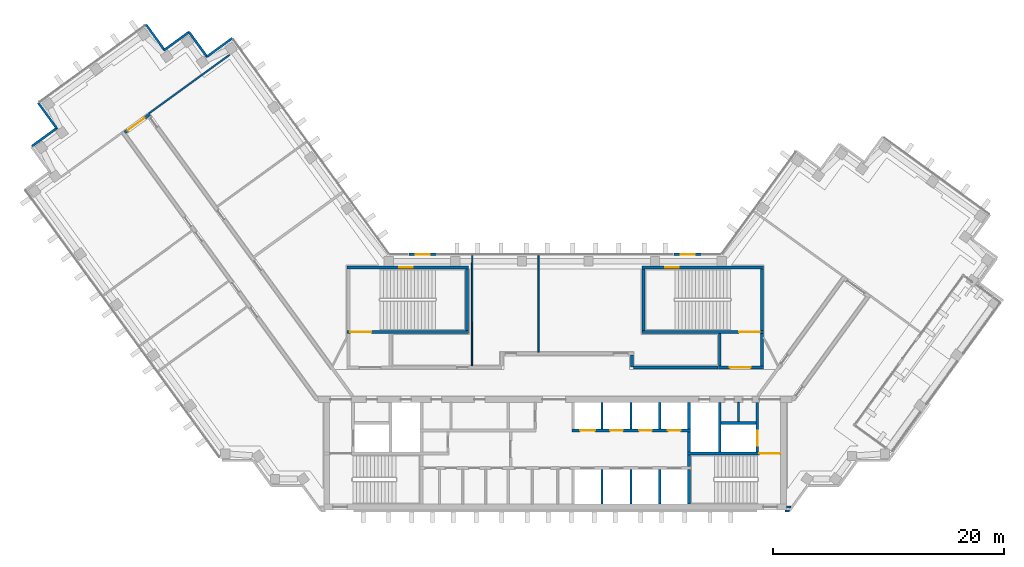
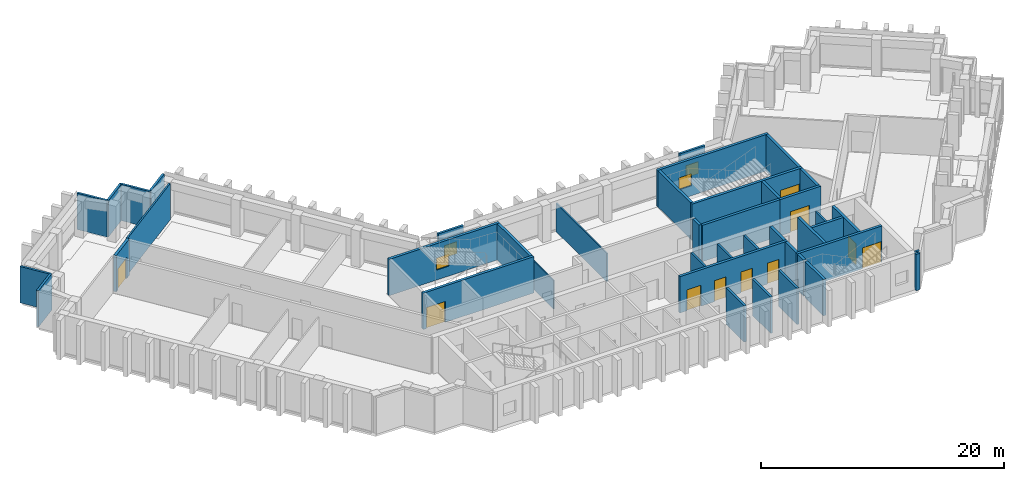
# One storey, part 6 of 10: 42 walls, 10 doors, 4 windows, 14 openings.
"""IFC4 building model written with IfcOpenShell, lengths in metres."""

from ifc_helpers import new_model, si_unit, direction, frame, frame_2d, origin, place, context, subcontext, project, spatial, rectangle, extrude, material, layer, layer_set, type_object, element, fill, save


model = new_model("IFC4")

# Units and contexts
model_context = context("Model", 3, precision=1e-05, world=origin(), true_north=direction((0.0, 1.0)))
body_context = subcontext(model_context, "Body", "Model", "MODEL_VIEW")
ifc_project = project(units=[si_unit("LENGTHUNIT", "METRE"), si_unit("AREAUNIT", "SQUARE_METRE"), si_unit("VOLUMEUNIT", "CUBIC_METRE"), si_unit("PLANEANGLEUNIT", "RADIAN"), si_unit("MASSUNIT", "GRAM", prefix="KILO")], contexts=[model_context])

# Site, building, storey
site_placement = place(None, origin())
site = spatial("IfcSite", under=ifc_project, at=site_placement, CompositionType="ELEMENT")
building_placement = place(site_placement, origin())
building = spatial("IfcBuilding", under=site, at=building_placement, Name="Quipu Civic Tower", CompositionType="ELEMENT")
storey_placement = place(building_placement, frame((0.0, 0.0, 202.0)))
storey = spatial("IfcBuildingStorey", under=building, at=storey_placement, Name="L47", CompositionType="ELEMENT", Elevation=202.0)

# Walls
ifc_material_1 = material(Name="Double gypsum plasterboard with mineral wool")
ifc_layer_1 = layer(ifc_material_1, 0.14990234375)
ifc_layer_set_1 = layer_set([ifc_layer_1], Name="Double gypsum plasterboard with mineral wool")
wall_type_1 = type_object("IfcWallType", Name="Acoustic partition 150 plasterboard", PredefinedType="PARTITIONING", material=ifc_layer_set_1)
wall_1_placement = place(storey_placement, frame((-28.16845703125, 28.341064453125, 0.0), z_axis=(0.0, 0.0, 1.0), x_axis=(-0.809030614944, -0.58776650473, 0.0)))
element("IfcWall", 1, at=wall_1_placement, inside=storey, type_object=wall_type_1, Name="Partition P06", PredefinedType="PARTITIONING", context=body_context, shape_type="SweptSolid", body=[
    extrude(rectangle(XDim=8.599853515625, YDim=0.14990234375, at=frame_2d((4.2998046875, 0.0))), origin(), (0.0, 0.0, 1.0), 3.64990234375),
])
ifc_material_2 = material(Name="Concrete C70/85", Category="concrete")
ifc_layer_2 = layer(ifc_material_2, 0.25)
ifc_layer_set_2 = layer_set([ifc_layer_2], Name="Concrete C70/85")
wall_type_2 = type_object("IfcWallType", Name="Core wall 250", PredefinedType="SHEAR", material=ifc_layer_set_2)
wall_2_placement = place(storey_placement, frame((11.574951171875, -10.5, 0.0), z_axis=(0.0, 0.0, 1.0), x_axis=(0.0, 1.0, 0.0)))
element("IfcWall", 2, at=wall_2_placement, inside=storey, type_object=wall_type_2, Name="Core wall", PredefinedType="SHEAR", context=body_context, shape_type="SweptSolid", body=[
    extrude(rectangle(XDim=3.0, YDim=0.25, at=frame_2d((1.5, 0.0))), origin(), (0.0, 0.0, 1.0), 3.64990234375),
])
wall_3_placement = place(storey_placement, frame((11.574951171875, -7.25, 0.0), z_axis=(0.0, 0.0, 1.0), x_axis=(0.0, 1.0, 0.0)))
element("IfcWall", 3, at=wall_3_placement, inside=storey, type_object=wall_type_2, Name="Core wall", PredefinedType="SHEAR", context=body_context, shape_type="SweptSolid", body=[
    extrude(rectangle(XDim=1.0, YDim=0.25, at=frame_2d((0.5, 0.0))), origin(), (0.0, 0.0, 1.0), 3.64990234375),
])

# Wall, opening, door
wall_4_placement = place(storey_placement, frame((19.5, -6.125, 0.0), z_axis=(0.0, 0.0, 1.0), x_axis=(-1.0, 0.0, 0.0)))
wall_4 = element("IfcWall", 4, at=wall_4_placement, inside=storey, type_object=wall_type_2, Name="Core wall", PredefinedType="SHEAR", context=body_context, shape_type="SweptSolid", body=[
    extrude(rectangle(XDim=8.050048828125, YDim=0.25, at=frame_2d((4.02490234375, 0.0))), origin(), (0.0, 0.0, 1.0), 3.64990234375),
])
opening_1_placement = place(wall_4_placement, frame((0.050048828125, 0.0, 0.0)))
opening_1 = element("IfcOpeningElement", 5, at=opening_1_placement, cuts=wall_4, Name="Opening CD-09", PredefinedType="OPENING", context=body_context, shape_type="SweptSolid", body=[
    extrude(rectangle(XDim=1.800048828125, YDim=2.10009765625, at=frame_2d((0.89990234375, 1.050048828125))), frame((0.0, 0.135009765625, 0.0), z_axis=(0.0, -1.0, 0.0), x_axis=(1.0, 0.0, 0.0)), (0.0, 0.0, 1.0), 0.27001953125),
])
ifc_material_3 = material(Name="Fire rated steel door", Category="steel")
door_type_1 = type_object("IfcDoorType", Name="Fire door FD90 double 1800 x 2100", OperationType="NOTDEFINED", PredefinedType="DOOR", material=ifc_material_3)
door_1_placement = place(opening_1_placement, origin())
door_1 = element("IfcDoor", 6, at=door_1_placement, inside=storey, type_object=door_type_1, Name="Door", OperationType="DOUBLE_DOOR_SINGLE_SWING", OverallHeight=2.10009765625, OverallWidth=1.800048828125, PredefinedType="DOOR", context=body_context, shape_type="SweptSolid", body=[
    extrude(rectangle(XDim=1.800048828125, YDim=2.10009765625, at=frame_2d((0.89990234375, 1.050048828125))), frame((0.0, 0.02490234375, 0.0), z_axis=(0.0, -1.0, 0.0), x_axis=(1.0, 0.0, 0.0)), (0.0, 0.0, 1.0), 0.050048828125),
])
fill(opening_1, door_1)

# Walls
wall_5_placement = place(storey_placement, frame((11.574951171875, -6.0, 0.0), z_axis=(0.0, 0.0, 1.0), x_axis=(0.0, 1.0, 0.0)))
element("IfcWall", 7, at=wall_5_placement, inside=storey, type_object=wall_type_2, Name="Core wall", PredefinedType="SHEAR", context=body_context, shape_type="SweptSolid", body=[
    extrude(rectangle(XDim=1.75, YDim=0.25, at=frame_2d((0.875, 0.0))), origin(), (0.0, 0.0, 1.0), 3.64990234375),
])
wall_6_placement = place(storey_placement, frame((14.22509765625, -6.0, 0.0), z_axis=(0.0, 0.0, 1.0), x_axis=(0.0, 1.0, 0.0)))
element("IfcWall", 8, at=wall_6_placement, inside=storey, type_object=wall_type_2, Name="Core wall", PredefinedType="SHEAR", context=body_context, shape_type="SweptSolid", body=[
    extrude(rectangle(XDim=4.300048828125, YDim=0.25, at=frame_2d((2.14990234375, 0.0))), origin(), (0.0, 0.0, 1.0), 3.64990234375),
])

# Wall, opening, door
wall_7_placement = place(storey_placement, frame((17.47509765625, -6.0, 0.0), z_axis=(0.0, 0.0, 1.0), x_axis=(0.0, 1.0, 0.0)))
wall_7 = element("IfcWall", 9, at=wall_7_placement, inside=storey, type_object=wall_type_2, Name="Core wall", PredefinedType="SHEAR", context=body_context, shape_type="SweptSolid", body=[
    extrude(rectangle(XDim=4.300048828125, YDim=0.25, at=frame_2d((2.14990234375, 0.0))), origin(), (0.0, 0.0, 1.0), 3.64990234375),
])
opening_2_placement = place(wall_7_placement, frame((0.550048828125, 0.0, 0.0)))
opening_2 = element("IfcOpeningElement", 10, at=opening_2_placement, cuts=wall_7, Name="Opening LD-FF2", PredefinedType="OPENING", context=body_context, shape_type="SweptSolid", body=[
    extrude(rectangle(XDim=1.300048828125, YDim=2.10009765625, at=frame_2d((0.64990234375, 1.050048828125))), frame((0.0, 0.135009765625, 0.0), z_axis=(0.0, -1.0, 0.0), x_axis=(1.0, 0.0, 0.0)), (0.0, 0.0, 1.0), 0.27001953125),
])
ifc_material_4 = material(Name="Stainless steel", Category="steel")
door_type_2 = type_object("IfcDoorType", Name="Lift landing door 1300 x 2100", OperationType="DOUBLE_DOOR_SLIDING", PredefinedType="DOOR", material=ifc_material_4)
door_2_placement = place(opening_2_placement, origin())
door_2 = element("IfcDoor", 11, at=door_2_placement, inside=storey, type_object=door_type_2, Name="Landing door FF2", OperationType="DOUBLE_DOOR_SLIDING", OverallHeight=2.10009765625, OverallWidth=1.300048828125, PredefinedType="DOOR", context=body_context, shape_type="SweptSolid", body=[
    extrude(rectangle(XDim=1.300048828125, YDim=2.10009765625, at=frame_2d((0.64990234375, 1.050048828125))), frame((0.0, 0.02490234375, 0.0), z_axis=(0.0, -1.0, 0.0), x_axis=(1.0, 0.0, 0.0)), (0.0, 0.0, 1.0), 0.050048828125),
])
fill(opening_2, door_2)

# Wall, openings, doors
wall_8_placement = place(storey_placement, frame((1.449951171875, -4.125, 0.0), z_axis=(0.0, 0.0, 1.0), x_axis=(1.0, 0.0, 0.0)))
wall_8 = element("IfcWall", 12, at=wall_8_placement, inside=storey, type_object=wall_type_2, Name="Core wall", PredefinedType="SHEAR", context=body_context, shape_type="SweptSolid", body=[
    extrude(rectangle(XDim=10.25, YDim=0.25, at=frame_2d((5.125, 0.0))), origin(), (0.0, 0.0, 1.0), 3.64990234375),
])
opening_3_placement = place(wall_8_placement, frame((0.699951171875, 0.0, 0.0)))
opening_3 = element("IfcOpeningElement", 13, at=opening_3_placement, cuts=wall_8, Name="Opening LD-FF3", PredefinedType="OPENING", context=body_context, shape_type="SweptSolid", body=[
    extrude(rectangle(XDim=1.300048828125, YDim=2.10009765625, at=frame_2d((0.64990234375, 1.050048828125))), frame((0.0, 0.135009765625, 0.0), z_axis=(0.0, -1.0, 0.0), x_axis=(1.0, 0.0, 0.0)), (0.0, 0.0, 1.0), 0.27001953125),
])
opening_4_placement = place(wall_8_placement, frame((3.300048828125, 0.0, 0.0)))
opening_4 = element("IfcOpeningElement", 14, at=opening_4_placement, cuts=wall_8, Name="Opening LD-ML5", PredefinedType="OPENING", context=body_context, shape_type="SweptSolid", body=[
    extrude(rectangle(XDim=1.10009765625, YDim=2.10009765625, at=frame_2d((0.550048828125, 1.050048828125))), frame((0.0, 0.135009765625, 0.0), z_axis=(0.0, -1.0, 0.0), x_axis=(1.0, 0.0, 0.0)), (0.0, 0.0, 1.0), 0.27001953125),
])
opening_5_placement = place(wall_8_placement, frame((5.800048828125, 0.0, 0.0)))
opening_5 = element("IfcOpeningElement", 15, at=opening_5_placement, cuts=wall_8, Name="Opening LD-ML6", PredefinedType="OPENING", context=body_context, shape_type="SweptSolid", body=[
    extrude(rectangle(XDim=1.10009765625, YDim=2.10009765625, at=frame_2d((0.550048828125, 1.050048828125))), frame((0.0, 0.135009765625, 0.0), z_axis=(0.0, -1.0, 0.0), x_axis=(1.0, 0.0, 0.0)), (0.0, 0.0, 1.0), 0.27001953125),
])
opening_6_placement = place(wall_8_placement, frame((8.300048828125, 0.0, 0.0)))
opening_6 = element("IfcOpeningElement", 16, at=opening_6_placement, cuts=wall_8, Name="Opening LD-ML7", PredefinedType="OPENING", context=body_context, shape_type="SweptSolid", body=[
    extrude(rectangle(XDim=1.10009765625, YDim=2.10009765625, at=frame_2d((0.550048828125, 1.050048828125))), frame((0.0, 0.135009765625, 0.0), z_axis=(0.0, -1.0, 0.0), x_axis=(1.0, 0.0, 0.0)), (0.0, 0.0, 1.0), 0.27001953125),
])
ifc_material_5 = material(Name="Stainless steel", Category="steel")
door_type_3 = type_object("IfcDoorType", Name="Lift landing door 1100 x 2100", OperationType="DOUBLE_DOOR_SLIDING", PredefinedType="DOOR", material=ifc_material_5)
door_3_placement = place(opening_4_placement, origin())
door_3 = element("IfcDoor", 17, at=door_3_placement, inside=storey, type_object=door_type_3, Name="Landing door ML5", OperationType="DOUBLE_DOOR_SLIDING", OverallHeight=2.10009765625, OverallWidth=1.10009765625, PredefinedType="DOOR", context=body_context, shape_type="SweptSolid", body=[
    extrude(rectangle(XDim=1.10009765625, YDim=2.10009765625, at=frame_2d((0.550048828125, 1.050048828125))), frame((0.0, 0.02490234375, 0.0), z_axis=(0.0, -1.0, 0.0), x_axis=(1.0, 0.0, 0.0)), (0.0, 0.0, 1.0), 0.050048828125),
])
fill(opening_4, door_3)
door_4_placement = place(opening_5_placement, origin())
door_4 = element("IfcDoor", 18, at=door_4_placement, inside=storey, type_object=door_type_3, Name="Landing door ML6", OperationType="DOUBLE_DOOR_SLIDING", OverallHeight=2.10009765625, OverallWidth=1.10009765625, PredefinedType="DOOR", context=body_context, shape_type="SweptSolid", body=[
    extrude(rectangle(XDim=1.10009765625, YDim=2.10009765625, at=frame_2d((0.550048828125, 1.050048828125))), frame((0.0, 0.02490234375, 0.0), z_axis=(0.0, -1.0, 0.0), x_axis=(1.0, 0.0, 0.0)), (0.0, 0.0, 1.0), 0.050048828125),
])
fill(opening_5, door_4)
door_5_placement = place(opening_6_placement, origin())
door_5 = element("IfcDoor", 19, at=door_5_placement, inside=storey, type_object=door_type_3, Name="Landing door ML7", OperationType="DOUBLE_DOOR_SLIDING", OverallHeight=2.10009765625, OverallWidth=1.10009765625, PredefinedType="DOOR", context=body_context, shape_type="SweptSolid", body=[
    extrude(rectangle(XDim=1.10009765625, YDim=2.10009765625, at=frame_2d((0.550048828125, 1.050048828125))), frame((0.0, 0.02490234375, 0.0), z_axis=(0.0, -1.0, 0.0), x_axis=(1.0, 0.0, 0.0)), (0.0, 0.0, 1.0), 0.050048828125),
])
fill(opening_6, door_5)
door_6_placement = place(opening_3_placement, origin())
door_6 = element("IfcDoor", 20, at=door_6_placement, inside=storey, type_object=door_type_2, Name="Landing door FF3", OperationType="DOUBLE_DOOR_SLIDING", OverallHeight=2.10009765625, OverallWidth=1.300048828125, PredefinedType="DOOR", context=body_context, shape_type="SweptSolid", body=[
    extrude(rectangle(XDim=1.300048828125, YDim=2.10009765625, at=frame_2d((0.64990234375, 1.050048828125))), frame((0.0, 0.02490234375, 0.0), z_axis=(0.0, -1.0, 0.0), x_axis=(1.0, 0.0, 0.0)), (0.0, 0.0, 1.0), 0.050048828125),
])
fill(opening_3, door_6)

# Walls
wall_9_placement = place(storey_placement, frame((11.574951171875, -4.0, 0.0), z_axis=(0.0, 0.0, 1.0), x_axis=(0.0, 1.0, 0.0)))
element("IfcWall", 21, at=wall_9_placement, inside=storey, type_object=wall_type_2, Name="Core wall", PredefinedType="SHEAR", context=body_context, shape_type="SweptSolid", body=[
    extrude(rectangle(XDim=2.300048828125, YDim=0.25, at=frame_2d((1.14990234375, 0.0))), origin(), (0.0, 0.0, 1.0), 3.64990234375),
])
wall_10_placement = place(storey_placement, frame((14.35009765625, -3.47509765625, 0.0), z_axis=(0.0, 0.0, 1.0), x_axis=(1.0, 0.0, 0.0)))
element("IfcWall", 22, at=wall_10_placement, inside=storey, type_object=wall_type_2, Name="Core wall", PredefinedType="SHEAR", context=body_context, shape_type="SweptSolid", body=[
    extrude(rectangle(XDim=3.0, YDim=0.25, at=frame_2d((1.5, 0.0))), origin(), (0.0, 0.0, 1.0), 3.64990234375),
])

# Wall, opening, door
wall_11_placement = place(storey_placement, frame((-18.0, 4.375, 0.0), z_axis=(0.0, 0.0, 1.0), x_axis=(1.0, 0.0, 0.0)))
wall_11 = element("IfcWall", 23, at=wall_11_placement, inside=storey, type_object=wall_type_2, Name="Core wall", PredefinedType="SHEAR", context=body_context, shape_type="SweptSolid", body=[
    extrude(rectangle(XDim=10.5, YDim=0.25, at=frame_2d((5.25, 0.0))), origin(), (0.0, 0.0, 1.0), 3.64990234375),
])
opening_7_placement = place(wall_11_placement, frame((0.300048828125, 0.0, 0.0)))
opening_7 = element("IfcOpeningElement", 24, at=opening_7_placement, cuts=wall_11, Name="Opening CD-24", PredefinedType="OPENING", context=body_context, shape_type="SweptSolid", body=[
    extrude(rectangle(XDim=1.800048828125, YDim=2.10009765625, at=frame_2d((0.89990234375, 1.050048828125))), frame((0.0, 0.135009765625, 0.0), z_axis=(0.0, -1.0, 0.0), x_axis=(1.0, 0.0, 0.0)), (0.0, 0.0, 1.0), 0.27001953125),
])
door_7_placement = place(opening_7_placement, origin())
door_7 = element("IfcDoor", 25, at=door_7_placement, inside=storey, type_object=door_type_1, Name="Door", OperationType="DOUBLE_DOOR_SINGLE_SWING", OverallHeight=2.10009765625, OverallWidth=1.800048828125, PredefinedType="DOOR", context=body_context, shape_type="SweptSolid", body=[
    extrude(rectangle(XDim=1.800048828125, YDim=2.10009765625, at=frame_2d((0.89990234375, 1.050048828125))), frame((0.0, 0.02490234375, 0.0), z_axis=(0.0, -1.0, 0.0), x_axis=(1.0, 0.0, 0.0)), (0.0, 0.0, 1.0), 0.050048828125),
])
fill(opening_7, door_7)

# Wall
wall_12_placement = place(storey_placement, frame((-7.625, 4.5, 0.0), z_axis=(0.0, 0.0, 1.0), x_axis=(0.0, 1.0, 0.0)))
element("IfcWall", 26, at=wall_12_placement, inside=storey, type_object=wall_type_2, Name="Core wall", PredefinedType="SHEAR", context=body_context, shape_type="SweptSolid", body=[
    extrude(rectangle(XDim=5.35009765625, YDim=0.25, at=frame_2d((2.675048828125, 0.0))), origin(), (0.0, 0.0, 1.0), 3.64990234375),
])

# Wall, opening, window
wall_13_placement = place(storey_placement, frame((-18.0, 9.97509765625, 0.0), z_axis=(0.0, 0.0, 1.0), x_axis=(1.0, 0.0, 0.0)))
wall_13 = element("IfcWall", 27, at=wall_13_placement, inside=storey, type_object=wall_type_2, Name="Core wall", PredefinedType="SHEAR", context=body_context, shape_type="SweptSolid", body=[
    extrude(rectangle(XDim=10.5, YDim=0.25, at=frame_2d((5.25, 0.0))), origin(), (0.0, 0.0, 1.0), 3.64990234375),
])
opening_8_placement = place(wall_13_placement, frame((4.5, 0.0, 1.0)))
opening_8 = element("IfcOpeningElement", 28, at=opening_8_placement, cuts=wall_13, Name="Opening SV-3", PredefinedType="OPENING", context=body_context, shape_type="SweptSolid", body=[
    extrude(rectangle(XDim=1.199951171875, YDim=1.199951171875, at=frame_2d((0.60009765625, 0.60009765625))), frame((0.0, 0.135009765625, 0.0), z_axis=(0.0, -1.0, 0.0), x_axis=(1.0, 0.0, 0.0)), (0.0, 0.0, 1.0), 0.27001953125),
])
ifc_material_6 = material(Name="Aluminium louvre", Category="aluminium")
window_type_1 = type_object("IfcWindowType", Name="Stair ventilation louvre 1200 x 1200", PartitioningType="SINGLE_PANEL", PredefinedType="WINDOW", material=ifc_material_6)
window_1_placement = place(opening_8_placement, origin())
window_1 = element("IfcWindow", 29, at=window_1_placement, inside=storey, type_object=window_type_1, Name="Stair ventilation opening", OverallHeight=1.199951171875, OverallWidth=1.199951171875, PartitioningType="SINGLE_PANEL", PredefinedType="WINDOW", context=body_context, shape_type="SweptSolid", body=[
    extrude(rectangle(XDim=1.199951171875, YDim=1.199951171875, at=frame_2d((0.60009765625, 0.60009765625))), frame((0.0, 0.030029296875, 0.0), z_axis=(0.0, -1.0, 0.0), x_axis=(1.0, 0.0, 0.0)), (0.0, 0.0, 1.0), 0.06005859375),
])
fill(opening_8, window_1)

# Wall, opening, door
wall_14_placement = place(storey_placement, frame((14.10009765625, 1.324951171875, 0.0), z_axis=(0.0, 0.0, 1.0), x_axis=(1.0, 0.0, 0.0)))
wall_14 = element("IfcWall", 30, at=wall_14_placement, inside=storey, type_object=wall_type_2, Name="Core wall", PredefinedType="SHEAR", context=body_context, shape_type="SweptSolid", body=[
    extrude(rectangle(XDim=3.89990234375, YDim=0.25, at=frame_2d((1.949951171875, 0.0))), origin(), (0.0, 0.0, 1.0), 3.64990234375),
])
opening_9_placement = place(wall_14_placement, frame((1.0, 0.0, 0.0)))
opening_9 = element("IfcOpeningElement", 31, at=opening_9_placement, cuts=wall_14, Name="Opening CD-25", PredefinedType="OPENING", context=body_context, shape_type="SweptSolid", body=[
    extrude(rectangle(XDim=1.800048828125, YDim=2.10009765625, at=frame_2d((0.89990234375, 1.050048828125))), frame((0.0, 0.135009765625, 0.0), z_axis=(0.0, -1.0, 0.0), x_axis=(1.0, 0.0, 0.0)), (0.0, 0.0, 1.0), 0.27001953125),
])
door_8_placement = place(opening_9_placement, origin())
door_8 = element("IfcDoor", 32, at=door_8_placement, inside=storey, type_object=door_type_1, Name="Lobby door", OperationType="DOUBLE_DOOR_SINGLE_SWING", OverallHeight=2.10009765625, OverallWidth=1.800048828125, PredefinedType="DOOR", context=body_context, shape_type="SweptSolid", body=[
    extrude(rectangle(XDim=1.800048828125, YDim=2.10009765625, at=frame_2d((0.89990234375, 1.050048828125))), frame((0.0, 0.02490234375, 0.0), z_axis=(0.0, -1.0, 0.0), x_axis=(1.0, 0.0, 0.0)), (0.0, 0.0, 1.0), 0.050048828125),
])
fill(opening_9, door_8)

# Walls
for number, where, z_axis, x_axis, name in (
    (33, (14.22509765625, 1.449951171875, 0.0), (0.0, 0.0, 1.0), (0.0, 1.0, 0.0), "Core wall"),
    (34, (17.875, 1.449951171875, 0.0), (0.0, 0.0, 1.0), (0.0, 1.0, 0.0), "Core wall"),
):
    element("IfcWall", number, at=place(storey_placement, frame(where, z_axis=z_axis, x_axis=x_axis)), inside=storey, type_object=wall_type_2, Name=name, PredefinedType="SHEAR", context=body_context, shape_type="SweptSolid", body=[
        extrude(rectangle(XDim=2.800048828125, YDim=0.25, at=frame_2d((1.39990234375, 0.0))), origin(), (0.0, 0.0, 1.0), 3.64990234375),
    ])

# Wall, opening, door
wall_15_placement = place(storey_placement, frame((7.5, 4.375, 0.0), z_axis=(0.0, 0.0, 1.0), x_axis=(1.0, 0.0, 0.0)))
wall_15 = element("IfcWall", 35, at=wall_15_placement, inside=storey, type_object=wall_type_2, Name="Core wall", PredefinedType="SHEAR", context=body_context, shape_type="SweptSolid", body=[
    extrude(rectangle(XDim=10.5, YDim=0.25, at=frame_2d((5.25, 0.0))), origin(), (0.0, 0.0, 1.0), 3.64990234375),
])
opening_10_placement = place(wall_15_placement, frame((8.39990234375, 0.0, 0.0)))
opening_10 = element("IfcOpeningElement", 36, at=opening_10_placement, cuts=wall_15, Name="Opening CD-26", PredefinedType="OPENING", context=body_context, shape_type="SweptSolid", body=[
    extrude(rectangle(XDim=1.800048828125, YDim=2.10009765625, at=frame_2d((0.89990234375, 1.050048828125))), frame((0.0, 0.135009765625, 0.0), z_axis=(0.0, -1.0, 0.0), x_axis=(1.0, 0.0, 0.0)), (0.0, 0.0, 1.0), 0.27001953125),
])
door_9_placement = place(opening_10_placement, origin())
door_9 = element("IfcDoor", 37, at=door_9_placement, inside=storey, type_object=door_type_1, Name="Door", OperationType="DOUBLE_DOOR_SINGLE_SWING", OverallHeight=2.10009765625, OverallWidth=1.800048828125, PredefinedType="DOOR", context=body_context, shape_type="SweptSolid", body=[
    extrude(rectangle(XDim=1.800048828125, YDim=2.10009765625, at=frame_2d((0.89990234375, 1.050048828125))), frame((0.0, 0.02490234375, 0.0), z_axis=(0.0, -1.0, 0.0), x_axis=(1.0, 0.0, 0.0)), (0.0, 0.0, 1.0), 0.050048828125),
])
fill(opening_10, door_9)

# Walls
for number, where, z_axis, x_axis, name in (
    (38, (7.625, 4.5, 0.0), (0.0, 0.0, 1.0), (0.0, 1.0, 0.0), "Core wall"),
    (39, (17.875, 4.5, 0.0), (0.0, 0.0, 1.0), (0.0, 1.0, 0.0), "Core wall"),
):
    element("IfcWall", number, at=place(storey_placement, frame(where, z_axis=z_axis, x_axis=x_axis)), inside=storey, type_object=wall_type_2, Name=name, PredefinedType="SHEAR", context=body_context, shape_type="SweptSolid", body=[
        extrude(rectangle(XDim=5.35009765625, YDim=0.25, at=frame_2d((2.675048828125, 0.0))), origin(), (0.0, 0.0, 1.0), 3.64990234375),
    ])

# Wall, opening, window
wall_16_placement = place(storey_placement, frame((7.5, 9.97509765625, 0.0), z_axis=(0.0, 0.0, 1.0), x_axis=(1.0, 0.0, 0.0)))
wall_16 = element("IfcWall", 40, at=wall_16_placement, inside=storey, type_object=wall_type_2, Name="Core wall", PredefinedType="SHEAR", context=body_context, shape_type="SweptSolid", body=[
    extrude(rectangle(XDim=10.5, YDim=0.25, at=frame_2d((5.25, 0.0))), origin(), (0.0, 0.0, 1.0), 3.64990234375),
])
opening_11_placement = place(wall_16_placement, frame((2.0, 0.0, 1.0)))
opening_11 = element("IfcOpeningElement", 41, at=opening_11_placement, cuts=wall_16, Name="Opening SV-4", PredefinedType="OPENING", context=body_context, shape_type="SweptSolid", body=[
    extrude(rectangle(XDim=1.199951171875, YDim=1.199951171875, at=frame_2d((0.60009765625, 0.60009765625))), frame((0.0, 0.135009765625, 0.0), z_axis=(0.0, -1.0, 0.0), x_axis=(1.0, 0.0, 0.0)), (0.0, 0.0, 1.0), 0.27001953125),
])
window_2_placement = place(opening_11_placement, origin())
window_2 = element("IfcWindow", 42, at=window_2_placement, inside=storey, type_object=window_type_1, Name="Stair ventilation opening", OverallHeight=1.199951171875, OverallWidth=1.199951171875, PartitioningType="SINGLE_PANEL", PredefinedType="WINDOW", context=body_context, shape_type="SweptSolid", body=[
    extrude(rectangle(XDim=1.199951171875, YDim=1.199951171875, at=frame_2d((0.60009765625, 0.60009765625))), frame((0.0, 0.030029296875, 0.0), z_axis=(0.0, -1.0, 0.0), x_axis=(1.0, 0.0, 0.0)), (0.0, 0.0, 1.0), 0.06005859375),
])
fill(opening_11, window_2)

# Wall, opening, door
ifc_material_7 = material(Name="Concrete C50/60", Category="concrete")
ifc_layer_3 = layer(ifc_material_7, 0.25)
ifc_layer_set_3 = layer_set([ifc_layer_3], Name="Concrete C50/60")
wall_type_3 = type_object("IfcWallType", Name="Corridor wall 250 concrete", PredefinedType="SOLIDWALL", material=ifc_layer_set_3)
wall_17_placement = place(storey_placement, frame((-37.20849609375, 21.643798828125, 0.0), z_axis=(0.0, 0.0, 1.0), x_axis=(0.809038743598, 0.587755315891, 0.0)))
wall_17 = element("IfcWall", 43, at=wall_17_placement, inside=storey, type_object=wall_type_3, Name="Corridor wall C05", PredefinedType="SOLIDWALL", context=body_context, shape_type="SweptSolid", body=[
    extrude(rectangle(XDim=2.650146484375, YDim=0.25, at=frame_2d((1.3251953125, 0.0))), origin(), (0.0, 0.0, 1.0), 3.64990234375),
])
opening_12_placement = place(wall_17_placement, frame((0.2998046875, 0.0, 0.0)))
opening_12 = element("IfcOpeningElement", 44, at=opening_12_placement, cuts=wall_17, Name="Opening D014", PredefinedType="OPENING", context=body_context, shape_type="SweptSolid", body=[
    extrude(rectangle(XDim=1.800048828125, YDim=2.10009765625, at=frame_2d((0.89990234375, 1.050048828125))), frame((0.0, 0.135009765625, 0.0), z_axis=(0.0, -1.0, 0.0), x_axis=(1.0, 0.0, 0.0)), (0.0, 0.0, 1.0), 0.27001953125),
])
ifc_material_8 = material(Name="Fire rated timber door set with metal frame", Category="wood")
door_type_4 = type_object("IfcDoorType", Name="Double door 1800 x 2100 FD60", OperationType="DOUBLE_DOOR_SINGLE_SWING", PredefinedType="DOOR", material=ifc_material_8)
door_10_placement = place(opening_12_placement, origin())
door_10 = element("IfcDoor", 45, at=door_10_placement, inside=storey, type_object=door_type_4, Name="Door D014", OperationType="DOUBLE_DOOR_SINGLE_SWING", OverallHeight=2.10009765625, OverallWidth=1.800048828125, PredefinedType="DOOR", context=body_context, shape_type="SweptSolid", body=[
    extrude(rectangle(XDim=1.800048828125, YDim=2.10009765625, at=frame_2d((0.89990234375, 1.050048828125))), frame((0.0, 0.02490234375, 0.0), z_axis=(0.0, -1.0, 0.0), x_axis=(1.0, 0.0, 0.0)), (0.0, 0.0, 1.0), 0.050048828125),
])
fill(opening_12, door_10)

# Walls
wall_18_placement = place(storey_placement, frame((6.625, 2.39990234375, 0.0), z_axis=(0.0, 0.0, 1.0), x_axis=(0.0, -1.0, 0.0)))
element("IfcWall", 46, at=wall_18_placement, inside=storey, type_object=wall_type_3, Name="Corridor wall C10", PredefinedType="SOLIDWALL", context=body_context, shape_type="SweptSolid", body=[
    extrude(rectangle(XDim=1.041259765625, YDim=0.25, at=frame_2d((0.5205078125, 0.0))), origin(), (0.0, 0.0, 1.0), 3.64990234375),
])
wall_19_placement = place(storey_placement, frame((6.753662109375, 1.324951171875, 0.0), z_axis=(0.0, 0.0, 1.0), x_axis=(1.0, 0.0, 0.0)))
element("IfcWall", 47, at=wall_19_placement, inside=storey, type_object=wall_type_3, Name="Corridor wall C11", PredefinedType="SOLIDWALL", context=body_context, shape_type="SweptSolid", body=[
    extrude(rectangle(XDim=7.33642578125, YDim=0.25, at=frame_2d((3.668212890625, 0.0))), origin(), (0.0, 0.0, 1.0), 3.64990234375),
])
ifc_material_9 = material(Name="Gypsum plasterboard on light gauge framing")
ifc_layer_4 = layer(ifc_material_9, 0.1201171875)
ifc_layer_set_4 = layer_set([ifc_layer_4], Name="Gypsum plasterboard on light gauge framing")
wall_type_4 = type_object("IfcWallType", Name="Partition 120 plasterboard", PredefinedType="PARTITIONING", material=ifc_layer_set_4)
wall_20_placement = place(storey_placement, frame((-1.458984375, 2.64990234375, 0.0), z_axis=(0.0, 0.0, 1.0), x_axis=(0.0, 1.0, 0.0)))
element("IfcWall", 48, at=wall_20_placement, inside=storey, type_object=wall_type_4, Name="Partition P02", PredefinedType="PARTITIONING", context=body_context, shape_type="SweptSolid", body=[
    extrude(rectangle(XDim=8.35009765625, YDim=0.1201171875, at=frame_2d((4.175048828125, 0.0))), origin(), (0.0, 0.0, 1.0), 2.85009765625),
])
wall_21_placement = place(storey_placement, frame((-7.17529296875, 11.0, 0.0), z_axis=(0.0, 0.0, 1.0), x_axis=(-0.002377476217, -0.999997173799, 0.0)))
element("IfcWall", 49, at=wall_21_placement, inside=storey, type_object=wall_type_4, Name="Partition P03", PredefinedType="PARTITIONING", context=body_context, shape_type="SweptSolid", body=[
    extrude(rectangle(XDim=9.550048828125, YDim=0.1201171875, at=frame_2d((4.77490234375, 0.0))), origin(), (0.0, 0.0, 1.0), 2.85009765625),
])
ifc_material_10 = material(Name="Gypsum board partition")
ifc_layer_5 = layer(ifc_material_10, 0.14990234375)
ifc_layer_set_5 = layer_set([ifc_layer_5], Name="Gypsum board partition")
wall_type_5 = type_object("IfcWallType", Name="Partition 150", PredefinedType="PARTITIONING", material=ifc_layer_set_5)
wall_22_placement = place(storey_placement, frame((15.85009765625, -3.35009765625, 0.0), z_axis=(0.0, 0.0, 1.0), x_axis=(0.0, 1.0, 0.0)))
element("IfcWall", 50, at=wall_22_placement, inside=storey, type_object=wall_type_5, Name="Partition", PredefinedType="PARTITIONING", context=body_context, shape_type="SweptSolid", body=[
    extrude(rectangle(XDim=1.650146484375, YDim=0.14990234375, at=frame_2d((0.8251953125, 0.0))), origin(), (0.0, 0.0, 1.0), 3.64990234375),
])

# Wall, opening, window
ifc_material_11 = material(Name="Precast concrete C40/50", Category="concrete")
wall_type_6 = type_object("IfcWallType", Name="Precast cladding wall", PredefinedType="SOLIDWALL", material=ifc_material_11)
wall_23_placement = place(storey_placement, frame((12.655029296875, 11.10009765625, 0.0), z_axis=(0.0, 0.0, 1.0), x_axis=(-1.0, 0.0, 0.0)))
wall_23 = element("IfcWall", 51, at=wall_23_placement, inside=storey, type_object=wall_type_6, Name="Vent surround SF-L45-2", PredefinedType="SOLIDWALL", context=body_context, shape_type="SweptSolid", body=[
    extrude(rectangle(XDim=2.3916015625, YDim=0.199951171875, at=frame_2d((1.19580078125, 0.0))), origin(), (0.0, 0.0, 1.0), 3.64990234375),
])
opening_13_placement = place(wall_23_placement, frame((0.595703125, 0.0, 1.0)))
opening_13 = element("IfcOpeningElement", 52, at=opening_13_placement, cuts=wall_23, Name="Opening SF-L45-2", PredefinedType="OPENING", context=body_context, shape_type="SweptSolid", body=[
    extrude(rectangle(XDim=1.199951171875, YDim=1.199951171875, at=frame_2d((0.60009765625, 0.60009765625))), frame((0.0, 0.10986328125, 0.0), z_axis=(0.0, -1.0, 0.0), x_axis=(1.0, 0.0, 0.0)), (0.0, 0.0, 1.0), 0.219970703125),
])
ifc_material_12 = material(Name="Anodised aluminium louvre", Category="aluminium")
window_type_2 = type_object("IfcWindowType", Name="Stair vent louvre window P3", PartitioningType="SINGLE_PANEL", PredefinedType="WINDOW", material=ifc_material_12)
window_3_placement = place(opening_13_placement, origin())
window_3 = element("IfcWindow", 53, at=window_3_placement, inside=storey, type_object=window_type_2, Name="Stair vent louvre SF-L45-2", OverallHeight=1.199951171875, OverallWidth=1.199951171875, PartitioningType="SINGLE_PANEL", PredefinedType="WINDOW", context=body_context, shape_type="SweptSolid", body=[
    extrude(rectangle(XDim=1.199951171875, YDim=1.199951171875, at=frame_2d((0.60009765625, 0.60009765625))), frame((0.0, 0.030029296875, 0.0), z_axis=(0.0, -1.0, 0.0), x_axis=(1.0, 0.0, 0.0)), (0.0, 0.0, 1.0), 0.06005859375),
])
fill(opening_13, window_3)

wall_24_placement = place(storey_placement, frame((-10.263427734375, 11.10009765625, 0.0), z_axis=(0.0, 0.0, 1.0), x_axis=(-1.0, 0.0, 0.0)))
wall_24 = element("IfcWall", 54, at=wall_24_placement, inside=storey, type_object=wall_type_6, Name="Vent surround SF-L45-1", PredefinedType="SOLIDWALL", context=body_context, shape_type="SweptSolid", body=[
    extrude(rectangle(XDim=2.3916015625, YDim=0.199951171875, at=frame_2d((1.19580078125, 0.0))), origin(), (0.0, 0.0, 1.0), 3.64990234375),
])
opening_14_placement = place(wall_24_placement, frame((0.595703125, 0.0, 1.0)))
opening_14 = element("IfcOpeningElement", 55, at=opening_14_placement, cuts=wall_24, Name="Opening SF-L45-1", PredefinedType="OPENING", context=body_context, shape_type="SweptSolid", body=[
    extrude(rectangle(XDim=1.199951171875, YDim=1.199951171875, at=frame_2d((0.60009765625, 0.60009765625))), frame((0.0, 0.10986328125, 0.0), z_axis=(0.0, -1.0, 0.0), x_axis=(1.0, 0.0, 0.0)), (0.0, 0.0, 1.0), 0.219970703125),
])
window_4_placement = place(opening_14_placement, origin())
window_4 = element("IfcWindow", 56, at=window_4_placement, inside=storey, type_object=window_type_2, Name="Stair vent louvre SF-L45-1", OverallHeight=1.199951171875, OverallWidth=1.199951171875, PartitioningType="SINGLE_PANEL", PredefinedType="WINDOW", context=body_context, shape_type="SweptSolid", body=[
    extrude(rectangle(XDim=1.199951171875, YDim=1.199951171875, at=frame_2d((0.60009765625, 0.60009765625))), frame((0.0, 0.030029296875, 0.0), z_axis=(0.0, -1.0, 0.0), x_axis=(1.0, 0.0, 0.0)), (0.0, 0.0, 1.0), 0.06005859375),
])
fill(opening_14, window_4)

# Walls
for number, where, z_axis, x_axis, name in (
    (57, (-27.92138671875, 29.787109375, 0.0), (0.0, 0.0, 1.0), (-0.809033161865, -0.587762999008, 0.0), "Precast cladding wall L47 P14"),
    (58, (-30.08349609375, 28.149169921875, 0.0), (0.0, 0.0, 1.0), (-0.587762999008, 0.809033161865, 0.0), "Precast cladding wall L47 P15"),
    (59, (-31.653564453125, 30.330810546875, 0.0), (0.0, 0.0, 1.0), (-0.809033161865, -0.587762999008, 0.0), "Precast cladding wall L47 P16"),
    (60, (-33.80078125, 28.785888671875, 0.0), (0.0, 0.0, 1.0), (-0.587762999008, 0.809033161865, 0.0), "Precast cladding wall L47 P17"),
    (61, (-44.699462890625, 24.20458984375, 0.0), (0.0, 0.0, 1.0), (0.587762999008, -0.809033161865, 0.0), "Precast cladding wall L47 P19"),
    (62, (-43.060791015625, 22.04296875, 0.0), (0.0, 0.0, 1.0), (-0.809033161865, -0.587762999008, 0.0), "Precast cladding wall L47 P20"),
):
    element("IfcWall", number, at=place(storey_placement, frame(where, z_axis=z_axis, x_axis=x_axis)), inside=storey, type_object=wall_type_6, Name=name, PredefinedType="SOLIDWALL", context=body_context, shape_type="SweptSolid", body=[
        extrude(rectangle(XDim=2.699951171875, YDim=0.199951171875, at=frame_2d((1.35009765625, 0.0))), origin(), (0.0, 0.0, 1.0), 3.64990234375),
    ])
wall_25_placement = place(storey_placement, frame((19.85009765625, -11.087890625, 0.0), z_axis=(0.0, 0.0, 1.0), x_axis=(1.0, 0.0, 0.0)))
element("IfcWall", 63, at=wall_25_placement, inside=storey, type_object=wall_type_6, Name="Precast cladding wall L47 P31", PredefinedType="SOLIDWALL", context=body_context, shape_type="SweptSolid", body=[
    extrude(rectangle(XDim=0.40576171875, YDim=0.199951171875, at=frame_2d((0.202880859375, 0.0))), origin(), (0.0, 0.0, 1.0), 3.64990234375),
])
wall_26_placement = place(storey_placement, frame((19.97998046875, -10.75, 0.0), z_axis=(0.0, 0.0, 1.0), x_axis=(1.0, 0.0, 0.0)))
element("IfcWall", 64, at=wall_26_placement, inside=storey, type_object=wall_type_6, Name="Precast cladding return L47 E", PredefinedType="SOLIDWALL", context=body_context, shape_type="SweptSolid", body=[
    extrude(rectangle(XDim=0.41650390625, YDim=0.199951171875, at=frame_2d((0.208251953125, 0.0))), origin(), (0.0, 0.0, 1.0), 3.64990234375),
])
ifc_material_13 = material(Name="Concrete C40/50", Category="concrete")
ifc_layer_6 = layer(ifc_material_13, 0.199951171875)
ifc_layer_set_6 = layer_set([ifc_layer_6], Name="Concrete C40/50")
wall_type_7 = type_object("IfcWallType", Name="Shaft wall 200", PredefinedType="SOLIDWALL", material=ifc_layer_set_6)
for number, where, z_axis, x_axis, name in (
    (65, (4.050048828125, -10.5, 0.0), (0.0, 0.0, 1.0), (0.0, 1.0, 0.0), "Shaft wall"),
    (66, (6.550048828125, -10.5, 0.0), (0.0, 0.0, 1.0), (0.0, 1.0, 0.0), "Shaft wall"),
    (67, (9.050048828125, -10.5, 0.0), (0.0, 0.0, 1.0), (0.0, 1.0, 0.0), "Shaft wall"),
):
    element("IfcWall", number, at=place(storey_placement, frame(where, z_axis=z_axis, x_axis=x_axis)), inside=storey, type_object=wall_type_7, Name=name, PredefinedType="SOLIDWALL", context=body_context, shape_type="SweptSolid", body=[
        extrude(rectangle(XDim=3.0, YDim=0.199951171875, at=frame_2d((1.5, 0.0))), origin(), (0.0, 0.0, 1.0), 3.64990234375),
    ])
for number, where, z_axis, x_axis, name in (
    (68, (4.050048828125, -4.0, 0.0), (0.0, 0.0, 1.0), (0.0, 1.0, 0.0), "Shaft wall"),
    (69, (6.550048828125, -4.0, 0.0), (0.0, 0.0, 1.0), (0.0, 1.0, 0.0), "Shaft wall"),
    (70, (9.050048828125, -4.0, 0.0), (0.0, 0.0, 1.0), (0.0, 1.0, 0.0), "Shaft wall"),
):
    element("IfcWall", number, at=place(storey_placement, frame(where, z_axis=z_axis, x_axis=x_axis)), inside=storey, type_object=wall_type_7, Name=name, PredefinedType="SOLIDWALL", context=body_context, shape_type="SweptSolid", body=[
        extrude(rectangle(XDim=2.300048828125, YDim=0.199951171875, at=frame_2d((1.14990234375, 0.0))), origin(), (0.0, 0.0, 1.0), 3.64990234375),
    ])

save(model, "model.ifc")
